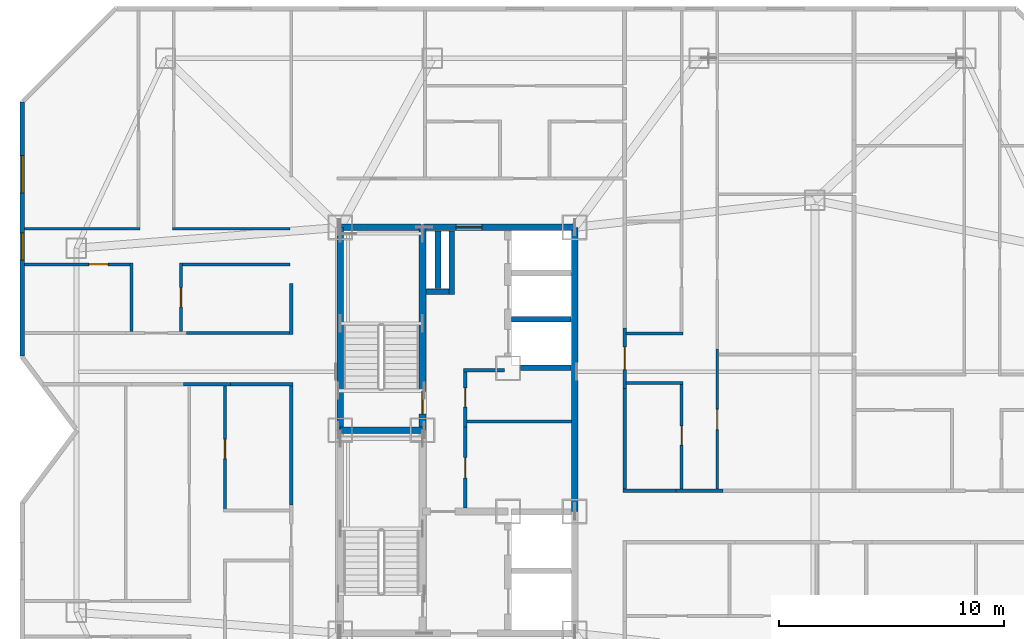
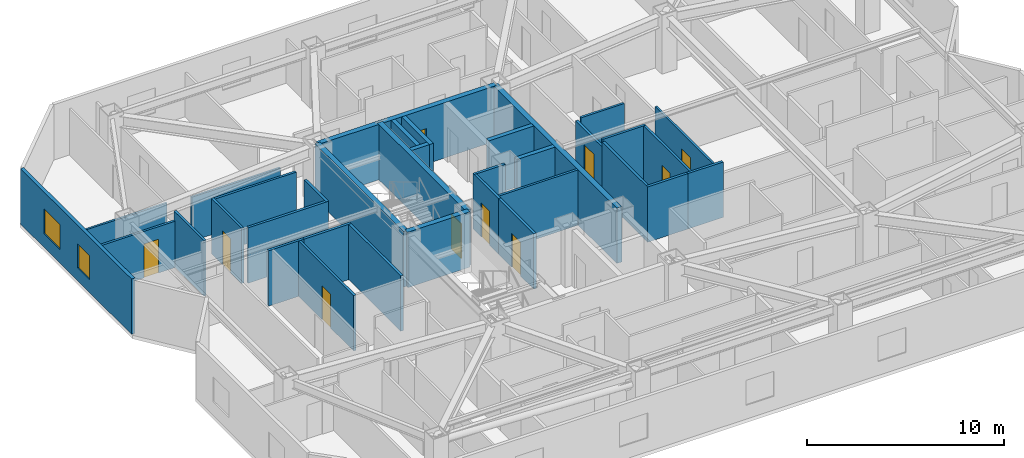
# One storey, part 7 of 11: 35 walls, 10 doors, 2 windows, 12 openings.
"""IFC4 building model written with IfcOpenShell, lengths in metres."""

from ifc_helpers import new_model, si_unit, direction, frame, frame_2d, origin, place, context, subcontext, project, spatial, rectangle, extrude, material, layer, layer_set, type_object, element, fill, save


model = new_model("IFC4")

# Units and contexts
model_context = context("Model", 3, precision=1e-05, world=origin(), true_north=direction((0.0, 1.0)))
body_context = subcontext(model_context, "Body", "Model", "MODEL_VIEW")
ifc_project = project(units=[si_unit("LENGTHUNIT", "METRE"), si_unit("AREAUNIT", "SQUARE_METRE"), si_unit("VOLUMEUNIT", "CUBIC_METRE"), si_unit("PLANEANGLEUNIT", "RADIAN"), si_unit("MASSUNIT", "GRAM", prefix="KILO")], contexts=[model_context])

# Site, building, storey
site_placement = place(None, origin())
site = spatial("IfcSite", under=ifc_project, at=site_placement, CompositionType="ELEMENT")
building_placement = place(site_placement, origin())
building = spatial("IfcBuilding", under=site, at=building_placement, Name="Khamvora Tower", CompositionType="ELEMENT")
storey_placement = place(building_placement, frame((0.0, 0.0, 185.10009765625)))
storey = spatial("IfcBuildingStorey", under=building, at=storey_placement, Name="L47", CompositionType="ELEMENT", Elevation=185.10009765625)

# Wall
ifc_material_1 = material(Name="Concrete C50/60", Category="concrete")
ifc_layer_1 = layer(ifc_material_1, 0.300048828125)
ifc_layer_set_1 = layer_set([ifc_layer_1], Name="Concrete C50/60")
wall_type_1 = type_object("IfcWallType", Name="WAL-CORE-300", PredefinedType="SHEAR", material=ifc_layer_set_1)
wall_1_placement = place(storey_placement, frame((29.0, 28.0, 0.0), z_axis=(0.0, 0.0, 1.0), x_axis=(0.0, 1.0, 0.0)))
element("IfcWall", 1, at=wall_1_placement, inside=storey, type_object=wall_type_1, Name="L47 central core west north wall", PredefinedType="SHEAR", context=body_context, shape_type="SweptSolid", body=[
    extrude(rectangle(XDim=9.0, YDim=0.300048828125, at=frame_2d((4.5, 0.0))), origin(), (0.0, 0.0, 1.0), 3.429931640625),
])

# Wall, opening, door
wall_2_placement = place(storey_placement, frame((29.0, 37.0, 0.0), z_axis=(0.0, 0.0, 1.0), x_axis=(1.0, 0.0, 0.0)))
wall_2 = element("IfcWall", 2, at=wall_2_placement, inside=storey, type_object=wall_type_1, Name="L47 central core north wall", PredefinedType="SHEAR", context=body_context, shape_type="SweptSolid", body=[
    extrude(rectangle(XDim=10.39990234375, YDim=0.300048828125, at=frame_2d((5.199951171875, 0.0))), origin(), (0.0, 0.0, 1.0), 3.429931640625),
])
opening_1_placement = place(wall_2_placement, frame((5.139892578125, 0.0, 0.0)))
opening_1 = element("IfcOpeningElement", 3, at=opening_1_placement, cuts=wall_2, Name="Opening D-SC1", PredefinedType="OPENING", context=body_context, shape_type="SweptSolid", body=[
    extrude(rectangle(XDim=1.14990234375, YDim=2.199951171875, at=frame_2d((0.574951171875, 1.10009765625))), frame((0.0, 0.159912109375, 0.0), z_axis=(0.0, -1.0, 0.0), x_axis=(1.0, 0.0, 0.0)), (0.0, 0.0, 1.0), 0.320068359375),
])
ifc_material_2 = material(Name="Powder-Coated Steel and Hardwood Leaf", Category="steel")
door_type_1 = type_object("IfcDoorType", Name="DOR-SCHL-1150", OperationType="NOTDEFINED", PredefinedType="DOOR", material=ifc_material_2)
door_1_placement = place(opening_1_placement, origin())
door_1 = element("IfcDoor", 4, at=door_1_placement, inside=storey, type_object=door_type_1, Name="L47 north core lobby to corridor fire door", OperationType="SINGLE_SWING_RIGHT", OverallHeight=2.199951171875, OverallWidth=1.14990234375, PredefinedType="DOOR", context=body_context, shape_type="SweptSolid", body=[
    extrude(rectangle(XDim=1.14990234375, YDim=2.199951171875, at=frame_2d((0.574951171875, 1.10009765625))), frame((0.0, 0.02490234375, 0.0), z_axis=(0.0, -1.0, 0.0), x_axis=(1.0, 0.0, 0.0)), (0.0, 0.0, 1.0), 0.050048828125),
])
fill(opening_1, door_1)

# Wall
wall_3_placement = place(storey_placement, frame((39.39990234375, 24.39990234375, 0.0), z_axis=(0.0, 0.0, 1.0), x_axis=(0.0, 1.0, 0.0)))
element("IfcWall", 5, at=wall_3_placement, inside=storey, type_object=wall_type_1, Name="L47 central core east north wall", PredefinedType="SHEAR", context=body_context, shape_type="SweptSolid", body=[
    extrude(rectangle(XDim=12.60009765625, YDim=0.300048828125, at=frame_2d((6.300048828125, 0.0))), origin(), (0.0, 0.0, 1.0), 3.429931640625),
])

# Wall, opening, door
wall_4_placement = place(storey_placement, frame((32.64990234375, 28.0, 0.0), z_axis=(0.0, 0.0, 1.0), x_axis=(0.0, 1.0, 0.0)))
wall_4 = element("IfcWall", 6, at=wall_4_placement, inside=storey, type_object=wall_type_1, Name="L47 central core stair north spine wall", PredefinedType="SHEAR", context=body_context, shape_type="SweptSolid", body=[
    extrude(rectangle(XDim=9.0, YDim=0.300048828125, at=frame_2d((4.5, 0.0))), origin(), (0.0, 0.0, 1.0), 3.429931640625),
])
opening_2_placement = place(wall_4_placement, frame((0.719970703125, 0.0, 0.0)))
opening_2 = element("IfcOpeningElement", 7, at=opening_2_placement, cuts=wall_4, Name="Opening D-ST1", PredefinedType="OPENING", context=body_context, shape_type="SweptSolid", body=[
    extrude(rectangle(XDim=1.0, YDim=2.14990234375, at=frame_2d((0.5, 1.074951171875))), frame((0.0, 0.159912109375, 0.0), z_axis=(0.0, -1.0, 0.0), x_axis=(1.0, 0.0, 0.0)), (0.0, 0.0, 1.0), 0.320068359375),
])
door_type_2 = type_object("IfcDoorType", Name="DOR-STAIR-1000", OperationType="NOTDEFINED", PredefinedType="DOOR", material=ifc_material_2)
door_2_placement = place(opening_2_placement, origin())
door_2 = element("IfcDoor", 8, at=door_2_placement, inside=storey, type_object=door_type_2, Name="L47 exit stair ST-02 fire door", OperationType="SINGLE_SWING_RIGHT", OverallHeight=2.14990234375, OverallWidth=1.0, PredefinedType="DOOR", context=body_context, shape_type="SweptSolid", body=[
    extrude(rectangle(XDim=1.0, YDim=2.14990234375, at=frame_2d((0.5, 1.074951171875))), frame((0.0, 0.02490234375, 0.0), z_axis=(0.0, -1.0, 0.0), x_axis=(1.0, 0.0, 0.0)), (0.0, 0.0, 1.0), 0.050048828125),
])
fill(opening_2, door_2)

# Walls
wall_5_placement = place(storey_placement, frame((29.0, 28.0, 0.0), z_axis=(0.0, 0.0, 1.0), x_axis=(1.0, 0.0, 0.0)))
element("IfcWall", 9, at=wall_5_placement, inside=storey, type_object=wall_type_1, Name="L47 central core stair cross wall", PredefinedType="SHEAR", context=body_context, shape_type="SweptSolid", body=[
    extrude(rectangle(XDim=3.64990234375, YDim=0.300048828125, at=frame_2d((1.824951171875, 0.0))), origin(), (0.0, 0.0, 1.0), 3.429931640625),
])
ifc_material_3 = material(Name="Fire-Rated Drywall and Steel Stud", Category="steel")
ifc_layer_2 = layer(ifc_material_3, 0.14990234375)
ifc_layer_set_2 = layer_set([ifc_layer_2], Name="Fire-Rated Drywall and Steel Stud")
wall_type_2 = type_object("IfcWallType", Name="WAL-CORR-150", PredefinedType="STANDARD", material=ifc_layer_set_2)
wall_6_placement = place(storey_placement, frame((36.300048828125, 30.6650390625, 0.0), z_axis=(0.0, 0.0, 1.0), x_axis=(-1.0, 0.0, 0.0)))
element("IfcWall", 10, at=wall_6_placement, inside=storey, type_object=wall_type_2, Name="L47 interior partition wall 001", PredefinedType="STANDARD", context=body_context, shape_type="SweptSolid", body=[
    extrude(rectangle(XDim=1.820068359375, YDim=0.14990234375, at=frame_2d((0.91015625, 0.0))), origin(), (0.0, 0.0, 1.0), 3.429931640625),
])

# Wall, opening, door
wall_7_placement = place(storey_placement, frame((34.544921875, 30.72998046875, 0.0), z_axis=(0.0, 0.0, 1.0), x_axis=(0.0, -1.0, 0.0)))
wall_7 = element("IfcWall", 11, at=wall_7_placement, inside=storey, type_object=wall_type_2, Name="L47 interior partition wall 002", PredefinedType="STANDARD", context=body_context, shape_type="SweptSolid", body=[
    extrude(rectangle(XDim=2.593994140625, YDim=0.14990234375, at=frame_2d((1.296875, 0.0))), origin(), (0.0, 0.0, 1.0), 3.429931640625),
])
opening_3_placement = place(wall_7_placement, frame((0.85107421875, 0.0, 0.0)))
opening_3 = element("IfcOpeningElement", 12, at=opening_3_placement, cuts=wall_7, Name="Opening D-WC1", PredefinedType="OPENING", context=body_context, shape_type="SweptSolid", body=[
    extrude(rectangle(XDim=0.85009765625, YDim=2.10009765625, at=frame_2d((0.425048828125, 1.050048828125))), frame((0.0, 0.0849609375, 0.0), z_axis=(0.0, -1.0, 0.0), x_axis=(1.0, 0.0, 0.0)), (0.0, 0.0, 1.0), 0.169921875),
])
door_type_3 = type_object("IfcDoorType", Name="DOR-WET-850", OperationType="NOTDEFINED", PredefinedType="DOOR", material=ifc_material_2)
door_3_placement = place(opening_3_placement, origin())
door_3 = element("IfcDoor", 13, at=door_3_placement, inside=storey, type_object=door_type_3, Name="L47 interior door PHL-CS1", OperationType="SINGLE_SWING_LEFT", OverallHeight=2.10009765625, OverallWidth=0.85009765625, PredefinedType="DOOR", context=body_context, shape_type="SweptSolid", body=[
    extrude(rectangle(XDim=0.85009765625, YDim=2.10009765625, at=frame_2d((0.425048828125, 1.050048828125))), frame((0.0, 0.02490234375, 0.0), z_axis=(0.0, -1.0, 0.0), x_axis=(1.0, 0.0, 0.0)), (0.0, 0.0, 1.0), 0.050048828125),
])
fill(opening_3, door_3)

wall_8_placement = place(storey_placement, frame((34.544921875, 28.135986328125, 0.0), z_axis=(0.0, 0.0, 1.0), x_axis=(0.0, -1.0, 0.0)))
wall_8 = element("IfcWall", 14, at=wall_8_placement, inside=storey, type_object=wall_type_2, Name="L47 interior partition wall 003", PredefinedType="STANDARD", context=body_context, shape_type="SweptSolid", body=[
    extrude(rectangle(XDim=3.592041015625, YDim=0.14990234375, at=frame_2d((1.7958984375, 0.0))), origin(), (0.0, 0.0, 1.0), 3.429931640625),
])
opening_4_placement = place(wall_8_placement, frame((1.345947265625, 0.0, 0.0)))
opening_4 = element("IfcOpeningElement", 15, at=opening_4_placement, cuts=wall_8, Name="Opening D-RM1", PredefinedType="OPENING", context=body_context, shape_type="SweptSolid", body=[
    extrude(rectangle(XDim=0.89990234375, YDim=2.10009765625, at=frame_2d((0.449951171875, 1.050048828125))), frame((0.0, 0.0849609375, 0.0), z_axis=(0.0, -1.0, 0.0), x_axis=(1.0, 0.0, 0.0)), (0.0, 0.0, 1.0), 0.169921875),
])
door_type_4 = type_object("IfcDoorType", Name="DOR-ROOM-900", OperationType="NOTDEFINED", PredefinedType="DOOR", material=ifc_material_2)
door_4_placement = place(opening_4_placement, origin())
door_4 = element("IfcDoor", 16, at=door_4_placement, inside=storey, type_object=door_type_4, Name="L47 interior door PHL-CS2", OperationType="SINGLE_SWING_RIGHT", OverallHeight=2.10009765625, OverallWidth=0.89990234375, PredefinedType="DOOR", context=body_context, shape_type="SweptSolid", body=[
    extrude(rectangle(XDim=0.89990234375, YDim=2.10009765625, at=frame_2d((0.449951171875, 1.050048828125))), frame((0.0, 0.02490234375, 0.0), z_axis=(0.0, -1.0, 0.0), x_axis=(1.0, 0.0, 0.0)), (0.0, 0.0, 1.0), 0.050048828125),
])
fill(opening_4, door_4)

# Walls
wall_9_placement = place(storey_placement, frame((24.138916015625, 30.034912109375, 0.0), z_axis=(0.0, 0.0, 1.0), x_axis=(-1.0, 0.0, 0.0)))
element("IfcWall", 17, at=wall_9_placement, inside=storey, type_object=wall_type_2, Name="L47 interior partition wall 008", PredefinedType="STANDARD", context=body_context, shape_type="SweptSolid", body=[
    extrude(rectangle(XDim=2.077880859375, YDim=0.14990234375, at=frame_2d((1.0390625, 0.0))), origin(), (0.0, 0.0, 1.0), 3.429931640625),
])
wall_10_placement = place(storey_placement, frame((26.8349609375, 24.68310546875, 0.0), z_axis=(0.0, 0.0, 1.0), x_axis=(0.0, 1.0, 0.0)))
element("IfcWall", 18, at=wall_10_placement, inside=storey, type_object=wall_type_2, Name="L47 interior partition wall 010", PredefinedType="STANDARD", context=body_context, shape_type="SweptSolid", body=[
    extrude(rectangle(XDim=5.4169921875, YDim=0.14990234375, at=frame_2d((2.70849609375, 0.0))), origin(), (0.0, 0.0, 1.0), 3.429931640625),
])
wall_11_placement = place(storey_placement, frame((26.89794921875, 30.034912109375, 0.0), z_axis=(0.0, 0.0, 1.0), x_axis=(-1.0, 0.0, 0.0)))
element("IfcWall", 19, at=wall_11_placement, inside=storey, type_object=wall_type_2, Name="L47 interior partition wall 011", PredefinedType="STANDARD", context=body_context, shape_type="SweptSolid", body=[
    extrude(rectangle(XDim=2.759033203125, YDim=0.14990234375, at=frame_2d((1.37939453125, 0.0))), origin(), (0.0, 0.0, 1.0), 3.429931640625),
])
wall_12_placement = place(storey_placement, frame((22.18896484375, 32.31494140625, 0.0), z_axis=(0.0, 0.0, 1.0), x_axis=(1.0, 0.0, 0.0)))
element("IfcWall", 20, at=wall_12_placement, inside=storey, type_object=wall_type_2, Name="L47 interior partition wall 016", PredefinedType="STANDARD", context=body_context, shape_type="SweptSolid", body=[
    extrude(rectangle(XDim=4.7109375, YDim=0.14990234375, at=frame_2d((2.35546875, 0.0))), origin(), (0.0, 0.0, 1.0), 3.429931640625),
])
wall_13_placement = place(storey_placement, frame((26.8349609375, 32.251953125, 0.0), z_axis=(0.0, 0.0, 1.0), x_axis=(0.0, 1.0, 0.0)))
element("IfcWall", 21, at=wall_13_placement, inside=storey, type_object=wall_type_2, Name="L47 interior partition wall 017", PredefinedType="STANDARD", context=body_context, shape_type="SweptSolid", body=[
    extrude(rectangle(XDim=2.248046875, YDim=0.14990234375, at=frame_2d((1.1240234375, 0.0))), origin(), (0.0, 0.0, 1.0), 3.429931640625),
])

# Wall, opening, door
wall_14_placement = place(storey_placement, frame((41.614990234375, 32.5400390625, 0.0), z_axis=(0.0, 0.0, 1.0), x_axis=(0.0, -1.0, 0.0)))
wall_14 = element("IfcWall", 22, at=wall_14_placement, inside=storey, type_object=wall_type_2, Name="L47 interior partition wall 033", PredefinedType="STANDARD", context=body_context, shape_type="SweptSolid", body=[
    extrude(rectangle(XDim=2.697998046875, YDim=0.14990234375, at=frame_2d((1.34912109375, 0.0))), origin(), (0.0, 0.0, 1.0), 3.10693359375),
])
opening_5_placement = place(wall_14_placement, frame((0.84912109375, 0.0, 0.0)))
opening_5 = element("IfcOpeningElement", 23, at=opening_5_placement, cuts=wall_14, Name="Opening D-U1", PredefinedType="OPENING", context=body_context, shape_type="SweptSolid", body=[
    extrude(rectangle(XDim=1.0, YDim=2.14990234375, at=frame_2d((0.5, 1.074951171875))), frame((0.0, 0.0849609375, 0.0), z_axis=(0.0, -1.0, 0.0), x_axis=(1.0, 0.0, 0.0)), (0.0, 0.0, 1.0), 0.169921875),
])
door_type_5 = type_object("IfcDoorType", Name="DOR-UNIT-1000", OperationType="NOTDEFINED", PredefinedType="DOOR", material=ifc_material_2)
door_5_placement = place(opening_5_placement, origin())
door_5 = element("IfcDoor", 24, at=door_5_placement, inside=storey, type_object=door_type_5, Name="L47 interior door COR-47EBH", OperationType="SINGLE_SWING_LEFT", OverallHeight=2.14990234375, OverallWidth=1.0, PredefinedType="DOOR", context=body_context, shape_type="SweptSolid", body=[
    extrude(rectangle(XDim=1.0, YDim=2.14990234375, at=frame_2d((0.5, 1.074951171875))), frame((0.0, 0.02490234375, 0.0), z_axis=(0.0, -1.0, 0.0), x_axis=(1.0, 0.0, 0.0)), (0.0, 0.0, 1.0), 0.050048828125),
])
fill(opening_5, door_5)

# Walls
wall_15_placement = place(storey_placement, frame((43.89599609375, 25.31494140625, 0.0), z_axis=(0.0, 0.0, 1.0), x_axis=(1.0, 0.0, 0.0)))
element("IfcWall", 25, at=wall_15_placement, inside=storey, type_object=wall_type_2, Name="L47 interior partition wall 034", PredefinedType="STANDARD", context=body_context, shape_type="SweptSolid", body=[
    extrude(rectangle(XDim=2.078125, YDim=0.14990234375, at=frame_2d((1.0390625, 0.0))), origin(), (0.0, 0.0, 1.0), 3.429931640625),
])
wall_16_placement = place(storey_placement, frame((41.614990234375, 29.842041015625, 0.0), z_axis=(0.0, 0.0, 1.0), x_axis=(0.0, -1.0, 0.0)))
element("IfcWall", 26, at=wall_16_placement, inside=storey, type_object=wall_type_2, Name="L47 interior partition wall 035", PredefinedType="STANDARD", context=body_context, shape_type="SweptSolid", body=[
    extrude(rectangle(XDim=4.592041015625, YDim=0.14990234375, at=frame_2d((2.2958984375, 0.0))), origin(), (0.0, 0.0, 1.0), 3.429931640625),
])
wall_17_placement = place(storey_placement, frame((41.550048828125, 25.31494140625, 0.0), z_axis=(0.0, 0.0, 1.0), x_axis=(1.0, 0.0, 0.0)))
element("IfcWall", 27, at=wall_17_placement, inside=storey, type_object=wall_type_2, Name="L47 interior partition wall 036", PredefinedType="STANDARD", context=body_context, shape_type="SweptSolid", body=[
    extrude(rectangle(XDim=2.345947265625, YDim=0.14990234375, at=frame_2d((1.1728515625, 0.0))), origin(), (0.0, 0.0, 1.0), 3.429931640625),
])

# Wall, openings, windows
ifc_material_4 = material(Name="Precast concrete C40/50", Category="concrete")
ifc_layer_3 = layer(ifc_material_4, 0.199951171875)
ifc_layer_set_3 = layer_set([ifc_layer_3], Name="Precast concrete C40/50")
wall_type_3 = type_object("IfcWallType", Name="WAL-EXT-200", PredefinedType="STANDARD", material=ifc_layer_set_3)
wall_18_placement = place(storey_placement, frame((14.89990234375, 31.283935546875, 0.0), z_axis=(0.0, 0.0, 1.0), x_axis=(0.0, 1.0, 0.0)))
wall_18 = element("IfcWall", 28, at=wall_18_placement, inside=storey, type_object=wall_type_3, Name="L47 exterior facade wall 05.1", PredefinedType="STANDARD", context=body_context, shape_type="SweptSolid", body=[
    extrude(rectangle(XDim=11.275146484375, YDim=0.199951171875, at=frame_2d((5.6376953125, 0.0))), origin(), (0.0, 0.0, 1.0), 3.429931640625),
])
opening_6_placement = place(wall_18_placement, frame((4.26708984375, 0.0, 0.800048828125)))
opening_6 = element("IfcOpeningElement", 29, at=opening_6_placement, cuts=wall_18, Name="Opening WN-03", PredefinedType="OPENING", context=body_context, shape_type="SweptSolid", body=[
    extrude(rectangle(XDim=1.199951171875, YDim=1.5, at=frame_2d((0.60009765625, 0.75))), frame((0.0, 0.10986328125, 0.0), z_axis=(0.0, -1.0, 0.0), x_axis=(1.0, 0.0, 0.0)), (0.0, 0.0, 1.0), 0.219970703125),
])
opening_7_placement = place(wall_18_placement, frame((7.2490234375, 0.0, 0.85009765625)))
opening_7 = element("IfcOpeningElement", 30, at=opening_7_placement, cuts=wall_18, Name="Opening WN-06", PredefinedType="OPENING", context=body_context, shape_type="SweptSolid", body=[
    extrude(rectangle(XDim=1.64990234375, YDim=1.550048828125, at=frame_2d((0.824951171875, 0.77490234375))), frame((0.0, 0.10986328125, 0.0), z_axis=(0.0, -1.0, 0.0), x_axis=(1.0, 0.0, 0.0)), (0.0, 0.0, 1.0), 0.219970703125),
])
ifc_material_5 = material(Name="Low-E Laminated Double Glazing", Category="glass")
window_type_1 = type_object("IfcWindowType", Name="WIN-VIS-1200x1500", PartitioningType="SINGLE_PANEL", PredefinedType="WINDOW", material=ifc_material_5)
window_1_placement = place(opening_6_placement, origin())
window_1 = element("IfcWindow", 31, at=window_1_placement, inside=storey, type_object=window_type_1, Name="L47 vision window 05.1.01", OverallHeight=1.5, OverallWidth=1.199951171875, PartitioningType="SINGLE_PANEL", PredefinedType="WINDOW", context=body_context, shape_type="SweptSolid", body=[
    extrude(rectangle(XDim=1.199951171875, YDim=1.5, at=frame_2d((0.60009765625, 0.75))), frame((0.0, 0.030029296875, 0.0), z_axis=(0.0, -1.0, 0.0), x_axis=(1.0, 0.0, 0.0)), (0.0, 0.0, 1.0), 0.06005859375),
])
fill(opening_6, window_1)
window_type_2 = type_object("IfcWindowType", Name="WIN-VIS-1650x1550", PartitioningType="SINGLE_PANEL", PredefinedType="WINDOW", material=ifc_material_5)
window_2_placement = place(opening_7_placement, origin())
window_2 = element("IfcWindow", 32, at=window_2_placement, inside=storey, type_object=window_type_2, Name="L47 vision window 05.1.02", OverallHeight=1.550048828125, OverallWidth=1.64990234375, PartitioningType="SINGLE_PANEL", PredefinedType="WINDOW", context=body_context, shape_type="SweptSolid", body=[
    extrude(rectangle(XDim=1.64990234375, YDim=1.550048828125, at=frame_2d((0.824951171875, 0.77490234375))), frame((0.0, 0.030029296875, 0.0), z_axis=(0.0, -1.0, 0.0), x_axis=(1.0, 0.0, 0.0)), (0.0, 0.0, 1.0), 0.06005859375),
])
fill(opening_7, window_2)

# Walls
ifc_material_6 = material(Name="Gypsum Plasterboard Partition", Category="gypsum")
ifc_layer_4 = layer(ifc_material_6, 0.1201171875)
ifc_layer_set_4 = layer_set([ifc_layer_4], Name="Gypsum Plasterboard Partition")
wall_type_4 = type_object("IfcWallType", Name="WAL-PART-120", PredefinedType="PARTITIONING", material=ifc_layer_set_4)
wall_19_placement = place(storey_placement, frame((14.991943359375, 36.94091796875, 0.0), z_axis=(0.0, 0.0, 1.0), x_axis=(1.0, 0.0, 0.0)))
element("IfcWall", 33, at=wall_19_placement, inside=storey, type_object=wall_type_4, Name="L47 interior partition wall 067", PredefinedType="PARTITIONING", context=body_context, shape_type="SweptSolid", body=[
    extrude(rectangle(XDim=5.128173828125, YDim=0.1201171875, at=frame_2d((2.56396484375, 0.0))), origin(), (0.0, 0.0, 1.0), 2.8759765625),
])
wall_20_placement = place(storey_placement, frame((21.56005859375, 36.94091796875, 0.0), z_axis=(0.0, 0.0, 1.0), x_axis=(1.0, 0.0, 0.0)))
element("IfcWall", 34, at=wall_20_placement, inside=storey, type_object=wall_type_4, Name="L47 interior partition wall 070", PredefinedType="PARTITIONING", context=body_context, shape_type="SweptSolid", body=[
    extrude(rectangle(XDim=5.2099609375, YDim=0.1201171875, at=frame_2d((2.60498046875, 0.0))), origin(), (0.0, 0.0, 1.0), 2.724853515625),
])

# Wall, opening, door
wall_21_placement = place(storey_placement, frame((45.72509765625, 31.613037109375, 0.0), z_axis=(0.0, 0.0, 1.0), x_axis=(0.0, -1.0, 0.0)))
wall_21 = element("IfcWall", 35, at=wall_21_placement, inside=storey, type_object=wall_type_4, Name="L47 interior partition wall 112", PredefinedType="PARTITIONING", context=body_context, shape_type="SweptSolid", body=[
    extrude(rectangle(XDim=6.23095703125, YDim=0.1201171875, at=frame_2d((3.115478515625, 0.0))), origin(), (0.0, 0.0, 1.0), 3.10693359375),
])
opening_8_placement = place(wall_21_placement, frame((2.68603515625, 0.0, 0.0)))
opening_8 = element("IfcOpeningElement", 36, at=opening_8_placement, cuts=wall_21, Name="Opening D-RM1", PredefinedType="OPENING", context=body_context, shape_type="SweptSolid", body=[
    extrude(rectangle(XDim=0.89990234375, YDim=2.10009765625, at=frame_2d((0.449951171875, 1.050048828125))), frame((0.0, 0.070068359375, 0.0), z_axis=(0.0, -1.0, 0.0), x_axis=(1.0, 0.0, 0.0)), (0.0, 0.0, 1.0), 0.14013671875),
])
door_6_placement = place(opening_8_placement, origin())
door_6 = element("IfcDoor", 37, at=door_6_placement, inside=storey, type_object=door_type_4, Name="L47 interior door 47EBH-47EBR1", OperationType="SINGLE_SWING_RIGHT", OverallHeight=2.10009765625, OverallWidth=0.89990234375, PredefinedType="DOOR", context=body_context, shape_type="SweptSolid", body=[
    extrude(rectangle(XDim=0.89990234375, YDim=2.10009765625, at=frame_2d((0.449951171875, 1.050048828125))), frame((0.0, 0.02490234375, 0.0), z_axis=(0.0, -1.0, 0.0), x_axis=(1.0, 0.0, 0.0)), (0.0, 0.0, 1.0), 0.050048828125),
])
fill(opening_8, door_6)

# Walls
ifc_material_7 = material(Name="Concrete C40/50", Category="concrete")
ifc_layer_5 = layer(ifc_material_7, 0.25)
ifc_layer_set_5 = layer_set([ifc_layer_5], Name="Concrete C40/50")
wall_type_5 = type_object("IfcWallType", Name="WAL-PODS-250", PredefinedType="SHEAR", material=ifc_layer_set_5)
wall_22_placement = place(storey_placement, frame((37.00390625, 30.77490234375, 0.0), z_axis=(0.0, 0.0, 1.0), x_axis=(1.0, 0.0, 0.0)))
element("IfcWall", 38, at=wall_22_placement, inside=storey, type_object=wall_type_5, Name="L47 high-rise lift shaft south enclosure wall PH-01", PredefinedType="SHEAR", context=body_context, shape_type="SweptSolid", body=[
    extrude(rectangle(XDim=2.2421875, YDim=0.25, at=frame_2d((1.12109375, 0.0))), origin(), (0.0, 0.0, 1.0), 3.429931640625),
])
wall_23_placement = place(storey_placement, frame((36.60400390625, 32.925048828125, 0.0), z_axis=(0.0, 0.0, 1.0), x_axis=(1.0, 0.0, 0.0)))
element("IfcWall", 39, at=wall_23_placement, inside=storey, type_object=wall_type_5, Name="L47 lift shaft divider wall PH-01", PredefinedType="SHEAR", context=body_context, shape_type="SweptSolid", body=[
    extrude(rectangle(XDim=2.64208984375, YDim=0.25, at=frame_2d((1.321044921875, 0.0))), origin(), (0.0, 0.0, 1.0), 3.429931640625),
])
wall_24_placement = place(storey_placement, frame((33.955078125, 34.02490234375, 0.0), z_axis=(0.0, 0.0, 1.0), x_axis=(0.0, 1.0, 0.0)))
element("IfcWall", 40, at=wall_24_placement, inside=storey, type_object=wall_type_5, Name="L47 vertical MEP riser shaft east enclosure wall", PredefinedType="SHEAR", context=body_context, shape_type="SweptSolid", body=[
    extrude(rectangle(XDim=2.821044921875, YDim=0.25, at=frame_2d((1.41064453125, 0.0))), origin(), (0.0, 0.0, 1.0), 3.429931640625),
])
wall_25_placement = place(storey_placement, frame((32.803955078125, 34.14990234375, 0.0), z_axis=(0.0, 0.0, 1.0), x_axis=(1.0, 0.0, 0.0)))
element("IfcWall", 41, at=wall_25_placement, inside=storey, type_object=wall_type_5, Name="L47 vertical MEP riser shaft south enclosure wall", PredefinedType="SHEAR", context=body_context, shape_type="SweptSolid", body=[
    extrude(rectangle(XDim=1.02197265625, YDim=0.25, at=frame_2d((0.510986328125, 0.0))), origin(), (0.0, 0.0, 1.0), 3.429931640625),
])
wall_26_placement = place(storey_placement, frame((33.340087890625, 34.279052734375, 0.0), z_axis=(0.0, 0.0, 1.0), x_axis=(0.0, 1.0, 0.0)))
element("IfcWall", 42, at=wall_26_placement, inside=storey, type_object=wall_type_5, Name="L47 vertical MEP riser shaft divider enclosure wall", PredefinedType="SHEAR", context=body_context, shape_type="SweptSolid", body=[
    extrude(rectangle(XDim=2.56689453125, YDim=0.25, at=frame_2d((1.283447265625, 0.0))), origin(), (0.0, 0.0, 1.0), 3.429931640625),
])
ifc_material_8 = material(Name="Moisture-Resistant Plasterboard Partition", Category="gypsum")
ifc_layer_6 = layer(ifc_material_8, 0.135009765625)
ifc_layer_set_6 = layer_set([ifc_layer_6], Name="Moisture-Resistant Plasterboard Partition")
wall_type_6 = type_object("IfcWallType", Name="WAL-WET-135", PredefinedType="PARTITIONING", material=ifc_layer_set_6)
wall_27_placement = place(storey_placement, frame((39.256103515625, 28.385009765625, 0.0), z_axis=(0.0, 0.0, 1.0), x_axis=(-1.0, 0.0, 0.0)))
element("IfcWall", 43, at=wall_27_placement, inside=storey, type_object=wall_type_6, Name="L47 interior partition wall 004", PredefinedType="PARTITIONING", context=body_context, shape_type="SweptSolid", body=[
    extrude(rectangle(XDim=4.64404296875, YDim=0.135009765625, at=frame_2d((2.322021484375, 0.0))), origin(), (0.0, 0.0, 1.0), 3.429931640625),
])

# Wall, opening, door
wall_28_placement = place(storey_placement, frame((23.889892578125, 29.969970703125, 0.0), z_axis=(0.0, 0.0, 1.0), x_axis=(0.0, -1.0, 0.0)))
wall_28 = element("IfcWall", 44, at=wall_28_placement, inside=storey, type_object=wall_type_6, Name="L47 interior partition wall 053", PredefinedType="PARTITIONING", context=body_context, shape_type="SweptSolid", body=[
    extrude(rectangle(XDim=5.60107421875, YDim=0.135009765625, at=frame_2d((2.800537109375, 0.0))), origin(), (0.0, 0.0, 1.0), 3.429931640625),
])
opening_9_placement = place(wall_28_placement, frame((2.3759765625, 0.0, 0.0)))
opening_9 = element("IfcOpeningElement", 45, at=opening_9_placement, cuts=wall_28, Name="Opening D-RM2", PredefinedType="OPENING", context=body_context, shape_type="SweptSolid", body=[
    extrude(rectangle(XDim=0.85009765625, YDim=2.10009765625, at=frame_2d((0.425048828125, 1.050048828125))), frame((0.0, 0.077392578125, 0.0), z_axis=(0.0, -1.0, 0.0), x_axis=(1.0, 0.0, 0.0)), (0.0, 0.0, 1.0), 0.155029296875),
])
door_type_6 = type_object("IfcDoorType", Name="DOR-ROOM-850", OperationType="NOTDEFINED", PredefinedType="DOOR", material=ifc_material_2)
door_7_placement = place(opening_9_placement, origin())
door_7 = element("IfcDoor", 46, at=door_7_placement, inside=storey, type_object=door_type_6, Name="L47 interior door 47WAH-47WAK", OperationType="SINGLE_SWING_LEFT", OverallHeight=2.10009765625, OverallWidth=0.85009765625, PredefinedType="DOOR", context=body_context, shape_type="SweptSolid", body=[
    extrude(rectangle(XDim=0.85009765625, YDim=2.10009765625, at=frame_2d((0.425048828125, 1.050048828125))), frame((0.0, 0.02490234375, 0.0), z_axis=(0.0, -1.0, 0.0), x_axis=(1.0, 0.0, 0.0)), (0.0, 0.0, 1.0), 0.050048828125),
])
fill(opening_9, door_7)

# Wall
wall_29_placement = place(storey_placement, frame((19.739990234375, 32.3798828125, 0.0), z_axis=(0.0, 0.0, 1.0), x_axis=(0.0, 1.0, 0.0)))
element("IfcWall", 47, at=wall_29_placement, inside=storey, type_object=wall_type_6, Name="L47 interior partition wall 063", PredefinedType="PARTITIONING", context=body_context, shape_type="SweptSolid", body=[
    extrude(rectangle(XDim=3.046142578125, YDim=0.135009765625, at=frame_2d((1.52294921875, 0.0))), origin(), (0.0, 0.0, 1.0), 3.429931640625),
])

# Wall, opening, door
wall_30_placement = place(storey_placement, frame((19.804931640625, 35.361083984375, 0.0), z_axis=(0.0, 0.0, 1.0), x_axis=(-1.0, 0.0, 0.0)))
wall_30 = element("IfcWall", 48, at=wall_30_placement, inside=storey, type_object=wall_type_6, Name="L47 interior partition wall 064", PredefinedType="PARTITIONING", context=body_context, shape_type="SweptSolid", body=[
    extrude(rectangle(XDim=4.81298828125, YDim=0.135009765625, at=frame_2d((2.406494140625, 0.0))), origin(), (0.0, 0.0, 1.0), 2.8759765625),
])
opening_10_placement = place(wall_30_placement, frame((1.097900390625, 0.0, 0.0)))
opening_10 = element("IfcOpeningElement", 49, at=opening_10_placement, cuts=wall_30, Name="Opening D-WC1", PredefinedType="OPENING", context=body_context, shape_type="SweptSolid", body=[
    extrude(rectangle(XDim=0.85009765625, YDim=2.10009765625, at=frame_2d((0.425048828125, 1.050048828125))), frame((0.0, 0.077392578125, 0.0), z_axis=(0.0, -1.0, 0.0), x_axis=(1.0, 0.0, 0.0)), (0.0, 0.0, 1.0), 0.155029296875),
])
door_8_placement = place(opening_10_placement, origin())
door_8 = element("IfcDoor", 50, at=door_8_placement, inside=storey, type_object=door_type_3, Name="L47 interior door 47WBH-47WBB", OperationType="SINGLE_SWING_LEFT", OverallHeight=2.10009765625, OverallWidth=0.85009765625, PredefinedType="DOOR", context=body_context, shape_type="SweptSolid", body=[
    extrude(rectangle(XDim=0.85009765625, YDim=2.10009765625, at=frame_2d((0.425048828125, 1.050048828125))), frame((0.0, 0.02490234375, 0.0), z_axis=(0.0, -1.0, 0.0), x_axis=(1.0, 0.0, 0.0)), (0.0, 0.0, 1.0), 0.050048828125),
])
fill(opening_10, door_8)

# Wall
wall_31_placement = place(storey_placement, frame((26.77001953125, 35.361083984375, 0.0), z_axis=(0.0, 0.0, 1.0), x_axis=(-1.0, 0.0, 0.0)))
element("IfcWall", 51, at=wall_31_placement, inside=storey, type_object=wall_type_6, Name="L47 interior partition wall 065", PredefinedType="PARTITIONING", context=body_context, shape_type="SweptSolid", body=[
    extrude(rectangle(XDim=4.89501953125, YDim=0.135009765625, at=frame_2d((2.447509765625, 0.0))), origin(), (0.0, 0.0, 1.0), 3.429931640625),
])

# Wall, opening, door
wall_32_placement = place(storey_placement, frame((21.93994140625, 35.426025390625, 0.0), z_axis=(0.0, 0.0, 1.0), x_axis=(0.0, -1.0, 0.0)))
wall_32 = element("IfcWall", 52, at=wall_32_placement, inside=storey, type_object=wall_type_6, Name="L47 interior partition wall 066", PredefinedType="PARTITIONING", context=body_context, shape_type="SweptSolid", body=[
    extrude(rectangle(XDim=3.046142578125, YDim=0.135009765625, at=frame_2d((1.52294921875, 0.0))), origin(), (0.0, 0.0, 1.0), 3.429931640625),
])
opening_11_placement = place(wall_32_placement, frame((1.097900390625, 0.0, 0.0)))
opening_11 = element("IfcOpeningElement", 53, at=opening_11_placement, cuts=wall_32, Name="Opening D-RM2", PredefinedType="OPENING", context=body_context, shape_type="SweptSolid", body=[
    extrude(rectangle(XDim=0.85009765625, YDim=2.10009765625, at=frame_2d((0.425048828125, 1.050048828125))), frame((0.0, 0.077392578125, 0.0), z_axis=(0.0, -1.0, 0.0), x_axis=(1.0, 0.0, 0.0)), (0.0, 0.0, 1.0), 0.155029296875),
])
door_9_placement = place(opening_11_placement, origin())
door_9 = element("IfcDoor", 54, at=door_9_placement, inside=storey, type_object=door_type_6, Name="L47 interior door 47WBH-47WBK", OperationType="SINGLE_SWING_LEFT", OverallHeight=2.10009765625, OverallWidth=0.85009765625, PredefinedType="DOOR", context=body_context, shape_type="SweptSolid", body=[
    extrude(rectangle(XDim=0.85009765625, YDim=2.10009765625, at=frame_2d((0.425048828125, 1.050048828125))), frame((0.0, 0.02490234375, 0.0), z_axis=(0.0, -1.0, 0.0), x_axis=(1.0, 0.0, 0.0)), (0.0, 0.0, 1.0), 0.050048828125),
])
fill(opening_11, door_9)

wall_33_placement = place(storey_placement, frame((44.14501953125, 25.382080078125, 0.0), z_axis=(0.0, 0.0, 1.0), x_axis=(0.0, 1.0, 0.0)))
wall_33 = element("IfcWall", 55, at=wall_33_placement, inside=storey, type_object=wall_type_6, Name="L47 interior partition wall 108", PredefinedType="PARTITIONING", context=body_context, shape_type="SweptSolid", body=[
    extrude(rectangle(XDim=4.77392578125, YDim=0.135009765625, at=frame_2d((2.386962890625, 0.0))), origin(), (0.0, 0.0, 1.0), 3.429931640625),
])
opening_12_placement = place(wall_33_placement, frame((1.9619140625, 0.0, 0.0)))
opening_12 = element("IfcOpeningElement", 56, at=opening_12_placement, cuts=wall_33, Name="Opening D-WC1", PredefinedType="OPENING", context=body_context, shape_type="SweptSolid", body=[
    extrude(rectangle(XDim=0.85009765625, YDim=2.10009765625, at=frame_2d((0.425048828125, 1.050048828125))), frame((0.0, 0.077392578125, 0.0), z_axis=(0.0, -1.0, 0.0), x_axis=(1.0, 0.0, 0.0)), (0.0, 0.0, 1.0), 0.155029296875),
])
door_10_placement = place(opening_12_placement, origin())
door_10 = element("IfcDoor", 57, at=door_10_placement, inside=storey, type_object=door_type_3, Name="L47 interior door 47EBH-47EBB", OperationType="SINGLE_SWING_RIGHT", OverallHeight=2.10009765625, OverallWidth=0.85009765625, PredefinedType="DOOR", context=body_context, shape_type="SweptSolid", body=[
    extrude(rectangle(XDim=0.85009765625, YDim=2.10009765625, at=frame_2d((0.425048828125, 1.050048828125))), frame((0.0, 0.02490234375, 0.0), z_axis=(0.0, -1.0, 0.0), x_axis=(1.0, 0.0, 0.0)), (0.0, 0.0, 1.0), 0.050048828125),
])
fill(opening_12, door_10)

# Walls
for number, where, z_axis, x_axis, name in (
    (58, (44.2099609375, 30.091064453125, 0.0), (0.0, 0.0, 1.0), (-1.0, 0.0, 0.0), "L47 interior partition wall 109"),
    (59, (41.681884765625, 32.291015625, 0.0), (0.0, 0.0, 1.0), (1.0, 0.0, 0.0), "L47 interior partition wall 110"),
):
    element("IfcWall", number, at=place(storey_placement, frame(where, z_axis=z_axis, x_axis=x_axis)), inside=storey, type_object=wall_type_6, Name=name, PredefinedType="PARTITIONING", context=body_context, shape_type="SweptSolid", body=[
        extrude(rectangle(XDim=2.528076171875, YDim=0.135009765625, at=frame_2d((1.26416015625, 0.0))), origin(), (0.0, 0.0, 1.0), 3.429931640625),
    ])

save(model, "model.ifc")
